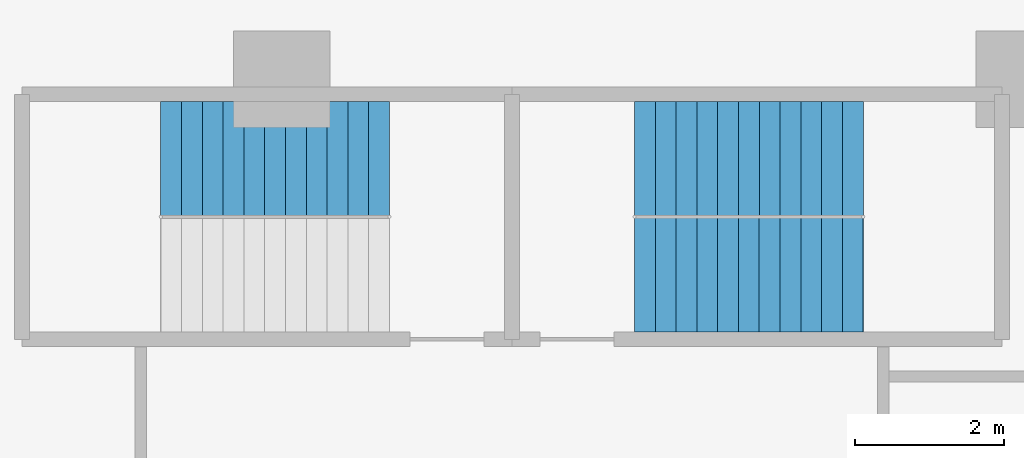
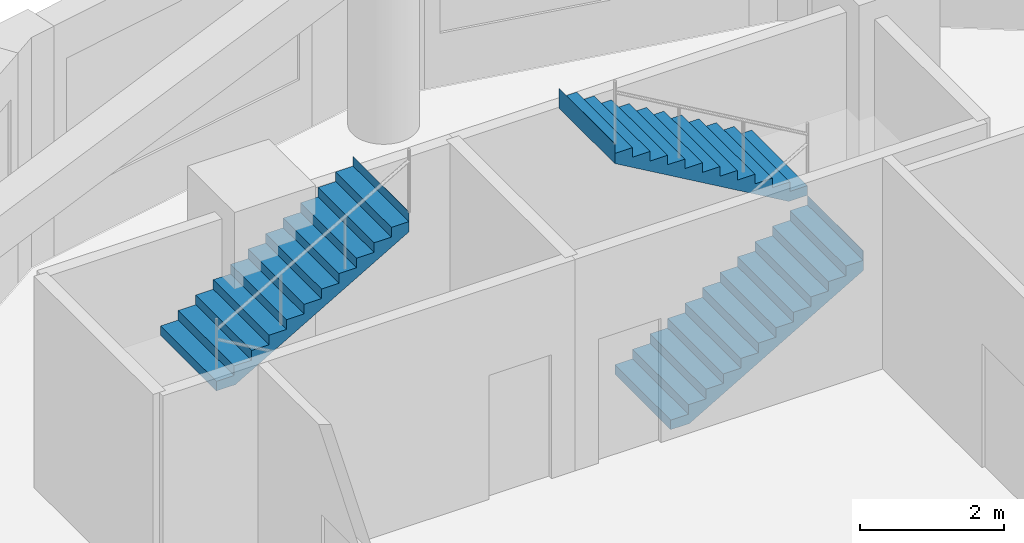
# One storey, part 7 of 9: 3 stair flights, 2 elements without a shape of their own.
"""IFC4 building model written with IfcOpenShell, lengths in metres."""

from ifc_helpers import new_model, si_unit, direction, frame, origin, place, context, subcontext, project, spatial, polyline, outline, extrude, material, type_object, element, aggregate, save


model = new_model("IFC4")

# Units and contexts
model_context = context("Model", 3, precision=1e-05, world=origin(), true_north=direction((0.0, 1.0)))
body_context = subcontext(model_context, "Body", "Model", "MODEL_VIEW")
ifc_project = project(units=[si_unit("LENGTHUNIT", "METRE"), si_unit("AREAUNIT", "SQUARE_METRE"), si_unit("VOLUMEUNIT", "CUBIC_METRE"), si_unit("PLANEANGLEUNIT", "RADIAN"), si_unit("MASSUNIT", "GRAM", prefix="KILO")], contexts=[model_context])

# Site, building, storey
site_placement = place(None, origin())
site = spatial("IfcSite", under=ifc_project, at=site_placement, CompositionType="ELEMENT")
building_placement = place(site_placement, origin())
building = spatial("IfcBuilding", under=site, at=building_placement, Name="Qaws Garden Tower", CompositionType="ELEMENT")
storey_placement = place(building_placement, frame((0.0, 0.0, 139.5)))
storey = spatial("IfcBuildingStorey", under=building, at=storey_placement, Name="L33", CompositionType="ELEMENT", Elevation=139.5)

# Stair, stair flight
ifc_material_1 = material(Name="Concrete C40", Category="concrete")
stair_type = type_object("IfcStairType", Name="Exit stair 1350", PredefinedType="HALF_TURN_STAIR", material=ifc_material_1)
placement = place(storey_placement, origin())
stair_1 = element("IfcStair", 1, at=placement, inside=storey, type_object=stair_type, Name="Stair 6", PredefinedType="HALF_TURN_STAIR")
ifc_material_2 = material(Name="Concrete C40", Category="concrete")
stair_flight_type = type_object("IfcStairFlightType", Name="Stair flight 1350", PredefinedType="STRAIGHT", material=ifc_material_2)
stair_flight_1_placement = place(storey_placement, frame((8.3701171875, 68.925048828125, 1.949951171875), z_axis=(0.0, 0.0, 1.0), x_axis=(1.0, 0.0, 0.0)))
stair_flight_1 = element("IfcStairFlight", 2, at=stair_flight_1_placement, type_object=stair_flight_type, Name="ST6 flight 2", NumberOfRisers=12, NumberOfTreads=11, PredefinedType="STRAIGHT", RiserHeight=0.1625, TreadLength=0.28, context=body_context, shape_type="SweptSolid", body=[
    extrude(outline(polyline([(-0.0029296875, 0.0), (-0.0029296875, 0.16259765625), (0.0, 0.16259765625), (0.280029296875, 0.16259765625), (0.280029296875, 0.324951171875), (0.56005859375, 0.324951171875), (0.56005859375, 0.487548828125), (0.840087890625, 0.487548828125), (0.840087890625, 0.64990234375), (1.1201171875, 0.64990234375), (1.1201171875, 0.8125), (1.39990234375, 0.8125), (1.39990234375, 0.97509765625), (1.679931640625, 0.97509765625), (1.679931640625, 1.137451171875), (1.9599609375, 1.137451171875), (1.9599609375, 1.300048828125), (2.239990234375, 1.300048828125), (2.239990234375, 1.46240234375), (2.52001953125, 1.46240234375), (2.52001953125, 1.625), (2.800048828125, 1.625), (2.800048828125, 1.78759765625), (3.080078125, 1.78759765625), (3.080078125, 1.949951171875), (3.0830078125, 1.949951171875), (3.0830078125, 1.6142578125), (3.080078125, 1.6142578125), (0.298583984375, 0.0), (-0.0029296875, 0.0)])), frame((0.0, 0.77490234375, 0.0), z_axis=(0.0, -1.0, 0.0), x_axis=(1.0, 0.0, 0.0)), (0.0, 0.0, 1.0), 1.550048828125),
])
aggregate(stair_1, [stair_flight_1])

# Stair, stair flights
stair_2 = element("IfcStair", 3, at=placement, inside=storey, type_object=stair_type, Name="Stair 7", PredefinedType="HALF_TURN_STAIR")
stair_flight_2_placement = place(storey_placement, frame((14.75, 67.375, 0.0), z_axis=(0.0, 0.0, 1.0), x_axis=(1.0, 0.0, 0.0)))
stair_flight_2 = element("IfcStairFlight", 4, at=stair_flight_2_placement, type_object=stair_flight_type, Name="ST7 flight 1", NumberOfRisers=12, NumberOfTreads=11, PredefinedType="STRAIGHT", RiserHeight=0.1625, TreadLength=0.28, context=body_context, shape_type="SweptSolid", body=[
    extrude(outline(polyline([(-0.0029296875, 0.0), (-0.0029296875, 0.16259765625), (0.0, 0.16259765625), (0.280029296875, 0.16259765625), (0.280029296875, 0.324951171875), (0.56005859375, 0.324951171875), (0.56005859375, 0.487548828125), (0.840087890625, 0.487548828125), (0.840087890625, 0.64990234375), (1.1201171875, 0.64990234375), (1.1201171875, 0.8125), (1.39990234375, 0.8125), (1.39990234375, 0.97509765625), (1.679931640625, 0.97509765625), (1.679931640625, 1.137451171875), (1.9599609375, 1.137451171875), (1.9599609375, 1.300048828125), (2.239990234375, 1.300048828125), (2.239990234375, 1.46240234375), (2.52001953125, 1.46240234375), (2.52001953125, 1.625), (2.800048828125, 1.625), (2.800048828125, 1.78759765625), (3.080078125, 1.78759765625), (3.080078125, 1.949951171875), (3.0830078125, 1.949951171875), (3.0830078125, 1.6142578125), (3.080078125, 1.6142578125), (0.298583984375, 0.0), (-0.0029296875, 0.0)])), frame((0.0, 0.77490234375, 0.0), z_axis=(0.0, -1.0, 0.0), x_axis=(1.0, 0.0, 0.0)), (0.0, 0.0, 1.0), 1.550048828125),
])
stair_flight_3_placement = place(storey_placement, frame((17.830078125, 68.925048828125, 1.949951171875), z_axis=(0.0, 0.0, 1.0), x_axis=(-1.0, 0.0, 0.0)))
stair_flight_3 = element("IfcStairFlight", 5, at=stair_flight_3_placement, type_object=stair_flight_type, Name="ST7 flight 2", NumberOfRisers=12, NumberOfTreads=11, PredefinedType="STRAIGHT", RiserHeight=0.1625, TreadLength=0.28, context=body_context, shape_type="SweptSolid", body=[
    extrude(outline(polyline([(-0.0029296875, 0.0), (-0.0029296875, 0.16259765625), (0.0, 0.16259765625), (0.280029296875, 0.16259765625), (0.280029296875, 0.324951171875), (0.56005859375, 0.324951171875), (0.56005859375, 0.487548828125), (0.840087890625, 0.487548828125), (0.840087890625, 0.64990234375), (1.1201171875, 0.64990234375), (1.1201171875, 0.8125), (1.39990234375, 0.8125), (1.39990234375, 0.97509765625), (1.679931640625, 0.97509765625), (1.679931640625, 1.137451171875), (1.9599609375, 1.137451171875), (1.9599609375, 1.300048828125), (2.239990234375, 1.300048828125), (2.239990234375, 1.46240234375), (2.52001953125, 1.46240234375), (2.52001953125, 1.625), (2.800048828125, 1.625), (2.800048828125, 1.78759765625), (3.080078125, 1.78759765625), (3.080078125, 1.949951171875), (3.0830078125, 1.949951171875), (3.0830078125, 1.6142578125), (3.080078125, 1.6142578125), (0.298583984375, 0.0), (-0.0029296875, 0.0)])), frame((0.0, 0.77490234375, 0.0), z_axis=(0.0, -1.0, 0.0), x_axis=(1.0, 0.0, 0.0)), (0.0, 0.0, 1.0), 1.550048828125),
])
aggregate(stair_2, [stair_flight_2, stair_flight_3])

save(model, "model.ifc")
